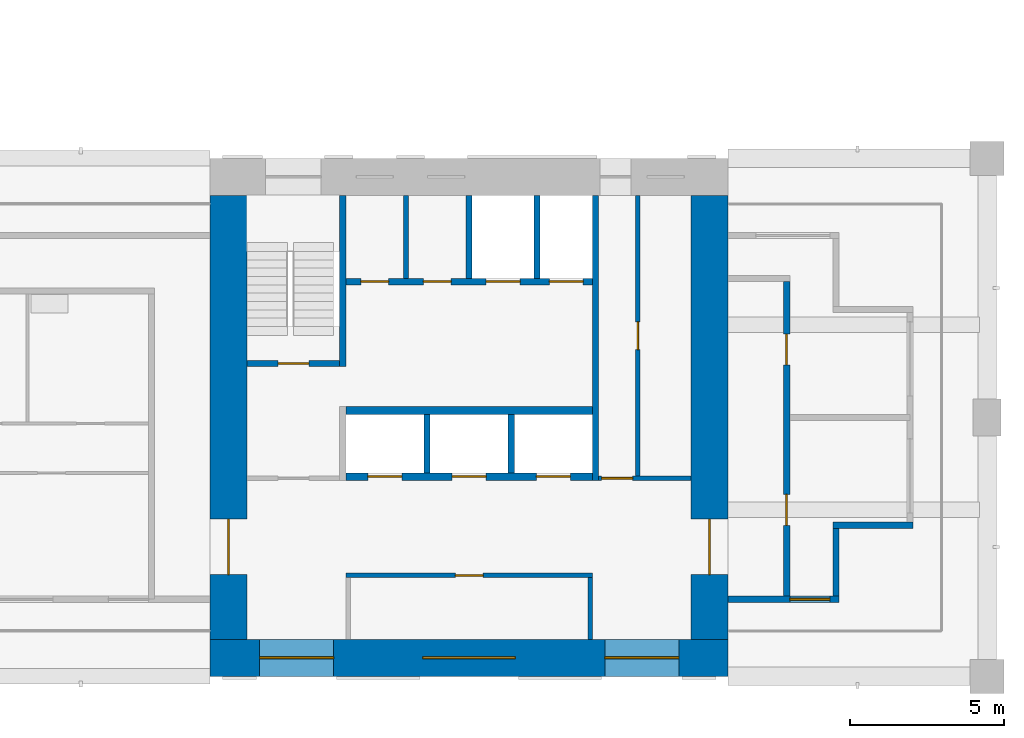
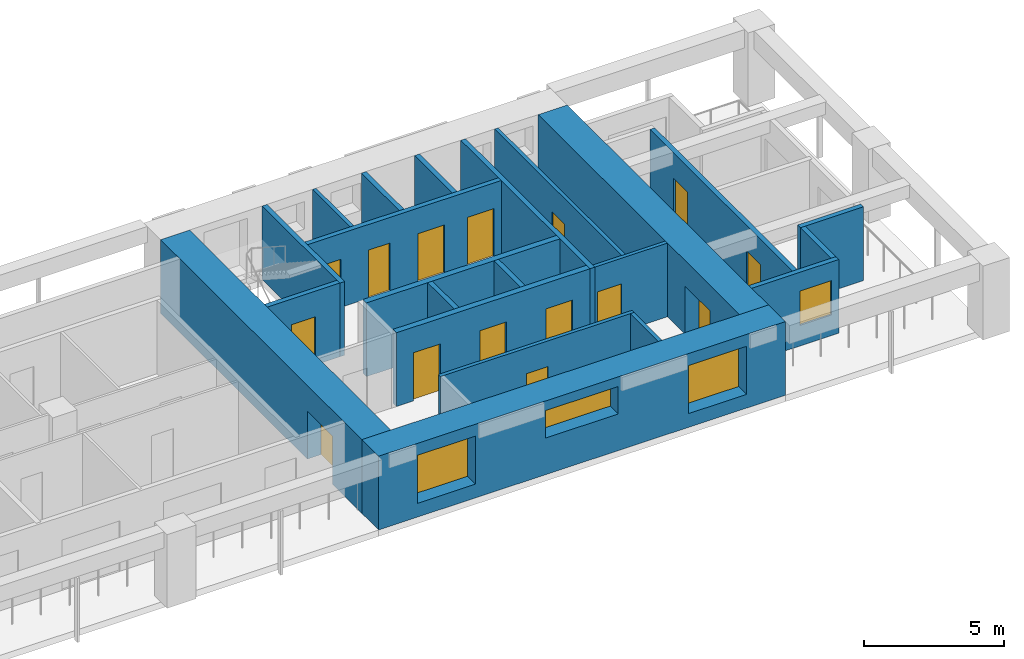
# One storey, part 4 of 10: 22 walls, 15 doors, 4 windows, 19 openings.
"""IFC4 building model written with IfcOpenShell, lengths in metres."""

from ifc_helpers import new_model, si_unit, direction, frame, frame_2d, origin, place, context, subcontext, project, spatial, rectangle, extrude, material, layer, layer_set, type_object, element, fill, save


model = new_model("IFC4")

# Units and contexts
model_context = context("Model", 3, precision=1e-05, world=origin(), true_north=direction((0.0, 1.0)))
body_context = subcontext(model_context, "Body", "Model", "MODEL_VIEW")
ifc_project = project(units=[si_unit("LENGTHUNIT", "METRE"), si_unit("AREAUNIT", "SQUARE_METRE"), si_unit("VOLUMEUNIT", "CUBIC_METRE"), si_unit("PLANEANGLEUNIT", "RADIAN"), si_unit("MASSUNIT", "GRAM", prefix="KILO")], contexts=[model_context])

# Site, building, storey
site_placement = place(None, origin())
site = spatial("IfcSite", under=ifc_project, at=site_placement, CompositionType="ELEMENT")
building_placement = place(site_placement, origin())
building = spatial("IfcBuilding", under=site, at=building_placement, Name="Vermilion Gate Residences", CompositionType="ELEMENT")
storey_placement = place(building_placement, frame((0.0, 0.0, 175.699951171875)))
storey = spatial("IfcBuildingStorey", under=building, at=storey_placement, Name="L45", CompositionType="ELEMENT", Elevation=175.699951171875)

# Wall
ifc_material_1 = material(Name="Masonry blockwork", Category="masonry")
ifc_layer_1 = layer(ifc_material_1, 0.14990234375)
ifc_layer_set_1 = layer_set([ifc_layer_1], Name="BLOCKWORK PARTITION 150 EI 120")
wall_type_1 = type_object("IfcWallType", Name="BLOCKWORK PARTITION 150 EI 120", PredefinedType="PARTITIONING", material=ifc_layer_set_1)
wall_1_placement = place(storey_placement, frame((54.324951171875, 9.60009765625, 0.0), z_axis=(0.0, 0.0, 1.0), x_axis=(0.0, 1.0, 0.0)))
element("IfcWall", 1, at=wall_1_placement, inside=storey, type_object=wall_type_1, Name="Core room partition A45-RW-E", PredefinedType="PARTITIONING", context=body_context, shape_type="SweptSolid", body=[
    extrude(rectangle(XDim=2.0, YDim=0.14990234375, at=frame_2d((1.0, 0.0))), origin(), (0.0, 0.0, 1.0), 3.219970703125),
])

# Wall, opening, door
wall_2_placement = place(storey_placement, frame((46.39990234375, 11.675048828125, 0.0), z_axis=(0.0, 0.0, 1.0), x_axis=(1.0, 0.0, 0.0)))
wall_2 = element("IfcWall", 2, at=wall_2_placement, inside=storey, type_object=wall_type_1, Name="Core room partition A45-LR-F", PredefinedType="PARTITIONING", context=body_context, shape_type="SweptSolid", body=[
    extrude(rectangle(XDim=8.0, YDim=0.14990234375, at=frame_2d((4.0, 0.0))), origin(), (0.0, 0.0, 1.0), 3.219970703125),
])
opening_1_placement = place(wall_2_placement, frame((3.550048828125, 0.0, 0.0)))
opening_1 = element("IfcOpeningElement", 3, at=opening_1_placement, cuts=wall_2, Name="Opening DK45003", PredefinedType="OPENING", context=body_context, shape_type="SweptSolid", body=[
    extrude(rectangle(XDim=0.89990234375, YDim=2.10009765625, at=frame_2d((0.449951171875, 1.050048828125))), frame((0.0, 0.0849609375, 0.0), z_axis=(0.0, -1.0, 0.0), x_axis=(1.0, 0.0, 0.0)), (0.0, 0.0, 1.0), 0.169921875),
])
ifc_material_2 = material(Name="Steel", Category="steel")
door_type_1 = type_object("IfcDoorType", Name="SERVICE ROOM DOOR FD60 900 X 2100", OperationType="SINGLE_SWING_LEFT", PredefinedType="DOOR", material=ifc_material_2)
door_1_placement = place(opening_1_placement, frame((0.89990234375, 0.0, 0.0), z_axis=(0.0, 0.0, 1.0), x_axis=(-1.0, 0.0, 0.0)))
door_1 = element("IfcDoor", 4, at=door_1_placement, inside=storey, type_object=door_type_1, Name="Housekeeping store A45", OperationType="SINGLE_SWING_RIGHT", OverallHeight=2.10009765625, OverallWidth=0.89990234375, PredefinedType="DOOR", context=body_context, shape_type="SweptSolid", body=[
    extrude(rectangle(XDim=0.89990234375, YDim=2.10009765625, at=frame_2d((0.449951171875, 1.050048828125))), frame((0.0, 0.02490234375, 0.0), z_axis=(0.0, -1.0, 0.0), x_axis=(1.0, 0.0, 0.0)), (0.0, 0.0, 1.0), 0.050048828125),
])
fill(opening_1, door_1)

# Wall
wall_3_placement = place(storey_placement, frame((48.35009765625, 21.300048828125, 0.0), z_axis=(0.0, 0.0, 1.0), x_axis=(0.0, 1.0, 0.0)))
element("IfcWall", 5, at=wall_3_placement, inside=storey, type_object=wall_type_1, Name="Core room partition A45-NR-P0", PredefinedType="PARTITIONING", context=body_context, shape_type="SweptSolid", body=[
    extrude(rectangle(XDim=2.699951171875, YDim=0.14990234375, at=frame_2d((1.35009765625, 0.0))), origin(), (0.0, 0.0, 1.0), 3.219970703125),
])

# Wall, opening, door
wall_4_placement = place(storey_placement, frame((54.60009765625, 14.824951171875, 0.0), z_axis=(0.0, 0.0, 1.0), x_axis=(1.0, 0.0, 0.0)))
wall_4 = element("IfcWall", 6, at=wall_4_placement, inside=storey, type_object=wall_type_1, Name="Core room partition A45-ES-S", PredefinedType="PARTITIONING", context=body_context, shape_type="SweptSolid", body=[
    extrude(rectangle(XDim=3.0, YDim=0.14990234375, at=frame_2d((1.5, 0.0))), origin(), (0.0, 0.0, 1.0), 3.219970703125),
])
opening_2_placement = place(wall_4_placement, frame((0.10009765625, 0.0, 0.0)))
opening_2 = element("IfcOpeningElement", 7, at=opening_2_placement, cuts=wall_4, Name="Opening DK45013", PredefinedType="OPENING", context=body_context, shape_type="SweptSolid", body=[
    extrude(rectangle(XDim=1.0, YDim=2.10009765625, at=frame_2d((0.5, 1.050048828125))), frame((0.0, 0.0849609375, 0.0), z_axis=(0.0, -1.0, 0.0), x_axis=(1.0, 0.0, 0.0)), (0.0, 0.0, 1.0), 0.169921875),
])
ifc_material_3 = material(Name="Steel", Category="steel")
door_type_2 = type_object("IfcDoorType", Name="FIRE DOOR FD60 1000 X 2100", OperationType="SINGLE_SWING_LEFT", PredefinedType="DOOR", material=ifc_material_3)
door_2_placement = place(opening_2_placement, frame((1.0, 0.0, 0.0), z_axis=(0.0, 0.0, 1.0), x_axis=(-1.0, 0.0, 0.0)))
door_2 = element("IfcDoor", 8, at=door_2_placement, inside=storey, type_object=door_type_2, Name="Service corridor door A45", OperationType="SINGLE_SWING_LEFT", OverallHeight=2.10009765625, OverallWidth=1.0, PredefinedType="DOOR", context=body_context, shape_type="SweptSolid", body=[
    extrude(rectangle(XDim=1.0, YDim=2.10009765625, at=frame_2d((0.5, 1.050048828125))), frame((0.0, 0.02490234375, 0.0), z_axis=(0.0, -1.0, 0.0), x_axis=(1.0, 0.0, 0.0)), (0.0, 0.0, 1.0), 0.050048828125),
])
fill(opening_2, door_2)

wall_5_placement = place(storey_placement, frame((55.875, 14.89990234375, 0.0), z_axis=(0.0, 0.0, 1.0), x_axis=(0.0, 1.0, 0.0)))
wall_5 = element("IfcWall", 9, at=wall_5_placement, inside=storey, type_object=wall_type_1, Name="Core room partition A45-ES-W", PredefinedType="PARTITIONING", context=body_context, shape_type="SweptSolid", body=[
    extrude(rectangle(XDim=9.10009765625, YDim=0.14990234375, at=frame_2d((4.550048828125, 0.0))), origin(), (0.0, 0.0, 1.0), 3.219970703125),
])
opening_3_placement = place(wall_5_placement, frame((4.10009765625, 0.0, 0.0)))
opening_3 = element("IfcOpeningElement", 10, at=opening_3_placement, cuts=wall_5, Name="Opening DK45014", PredefinedType="OPENING", context=body_context, shape_type="SweptSolid", body=[
    extrude(rectangle(XDim=0.89990234375, YDim=2.10009765625, at=frame_2d((0.449951171875, 1.050048828125))), frame((0.0, 0.0849609375, 0.0), z_axis=(0.0, -1.0, 0.0), x_axis=(1.0, 0.0, 0.0)), (0.0, 0.0, 1.0), 0.169921875),
])
door_3_placement = place(opening_3_placement, frame((0.89990234375, 0.0, 0.0), z_axis=(0.0, 0.0, 1.0), x_axis=(-1.0, 0.0, 0.0)))
door_3 = element("IfcDoor", 11, at=door_3_placement, inside=storey, type_object=door_type_1, Name="Electrical room A45", OperationType="SINGLE_SWING_RIGHT", OverallHeight=2.10009765625, OverallWidth=0.89990234375, PredefinedType="DOOR", context=body_context, shape_type="SweptSolid", body=[
    extrude(rectangle(XDim=0.89990234375, YDim=2.10009765625, at=frame_2d((0.449951171875, 1.050048828125))), frame((0.0, 0.02490234375, 0.0), z_axis=(0.0, -1.0, 0.0), x_axis=(1.0, 0.0, 0.0)), (0.0, 0.0, 1.0), 0.050048828125),
])
fill(opening_3, door_3)

# Wall, opening, window
ifc_material_4 = material(Name="Insulated steel stud wall with terracotta rainscreen", Category="masonry")
ifc_layer_2 = layer(ifc_material_4, 0.199951171875)
ifc_layer_set_2 = layer_set([ifc_layer_2], Name="EXTERNAL WALL 200 TERRACOTTA RAINSCREEN")
wall_type_2 = type_object("IfcWallType", Name="EXTERNAL WALL 200 TERRACOTTA RAINSCREEN", PredefinedType="SOLIDWALL", material=ifc_layer_set_2)
wall_6_placement = place(storey_placement, frame((58.800048828125, 10.89990234375, 0.0), z_axis=(0.0, 0.0, 1.0), x_axis=(1.0, 0.0, 0.0)))
wall_6 = element("IfcWall", 12, at=wall_6_placement, inside=storey, type_object=wall_type_2, Name="External wall", PredefinedType="SOLIDWALL", context=body_context, shape_type="SweptSolid", body=[
    extrude(rectangle(XDim=3.599853515625, YDim=0.199951171875, at=frame_2d((1.7998046875, 0.0))), origin(), (0.0, 0.0, 1.0), 3.219970703125),
])
opening_4_placement = place(wall_6_placement, frame((2.0, 0.0, 0.89990234375)))
opening_4 = element("IfcOpeningElement", 13, at=opening_4_placement, cuts=wall_6, Name="Opening WE45015", PredefinedType="OPENING", context=body_context, shape_type="SweptSolid", body=[
    extrude(rectangle(XDim=1.300048828125, YDim=1.5, at=frame_2d((0.64990234375, 0.75))), frame((0.0, 0.10986328125, 0.0), z_axis=(0.0, -1.0, 0.0), x_axis=(1.0, 0.0, 0.0)), (0.0, 0.0, 1.0), 0.219970703125),
])
ifc_material_5 = material(Name="Aluminium and clear glass", Category="aluminium")
window_type_1 = type_object("IfcWindowType", Name="WINDOW 1300 X 1500", PartitioningType="SINGLE_PANEL", PredefinedType="WINDOW", material=ifc_material_5)
window_1_placement = place(opening_4_placement, origin())
window_1 = element("IfcWindow", 14, at=window_1_placement, inside=storey, type_object=window_type_1, Name="Window", OverallHeight=1.5, OverallWidth=1.300048828125, PartitioningType="SINGLE_PANEL", PredefinedType="WINDOW", context=body_context, shape_type="SweptSolid", body=[
    extrude(rectangle(XDim=1.300048828125, YDim=1.5, at=frame_2d((0.64990234375, 0.75))), frame((0.0, 0.030029296875, 0.0), z_axis=(0.0, -1.0, 0.0), x_axis=(1.0, 0.0, 0.0)), (0.0, 0.0, 1.0), 0.06005859375),
])
fill(opening_4, window_1)

# Walls
wall_7_placement = place(storey_placement, frame((62.300048828125, 11.0, 0.0), z_axis=(0.0, 0.0, 1.0), x_axis=(0.0, 1.0, 0.0)))
element("IfcWall", 15, at=wall_7_placement, inside=storey, type_object=wall_type_2, Name="External wall", PredefinedType="SOLIDWALL", context=body_context, shape_type="SweptSolid", body=[
    extrude(rectangle(XDim=2.199951171875, YDim=0.199951171875, at=frame_2d((1.10009765625, 0.0))), origin(), (0.0, 0.0, 1.0), 3.219970703125),
])
wall_8_placement = place(storey_placement, frame((62.199951171875, 13.300048828125, 0.0), z_axis=(0.0, 0.0, 1.0), x_axis=(1.0, 0.0, 0.0)))
element("IfcWall", 16, at=wall_8_placement, inside=storey, type_object=wall_type_2, Name="External wall", PredefinedType="SOLIDWALL", context=body_context, shape_type="SweptSolid", body=[
    extrude(rectangle(XDim=2.60009765625, YDim=0.199951171875, at=frame_2d((1.300048828125, 0.0))), origin(), (0.0, 0.0, 1.0), 3.219970703125),
])

# Wall, openings, doors
ifc_material_6 = material(Name="Fire-rated plasterboard on steel studs", Category="steel")
ifc_layer_3 = layer(ifc_material_6, 0.199951171875)
ifc_layer_set_3 = layer_set([ifc_layer_3], Name="PARTY WALL 200 EI 120")
wall_type_3 = type_object("IfcWallType", Name="PARTY WALL 200 EI 120", PredefinedType="PARTITIONING", material=ifc_layer_set_3)
wall_9_placement = place(storey_placement, frame((60.699951171875, 10.89990234375, 0.0), z_axis=(0.0, 0.0, 1.0), x_axis=(0.0, 1.0, 0.0)))
wall_9 = element("IfcWall", 17, at=wall_9_placement, inside=storey, type_object=wall_type_3, Name="Party and corridor wall", PredefinedType="PARTITIONING", context=body_context, shape_type="SweptSolid", body=[
    extrude(rectangle(XDim=10.300048828125, YDim=0.199951171875, at=frame_2d((5.14990234375, 0.0))), origin(), (0.0, 0.0, 1.0), 3.219970703125),
])
opening_5_placement = place(wall_9_placement, frame((2.39990234375, 0.0, 0.0)))
opening_5 = element("IfcOpeningElement", 18, at=opening_5_placement, cuts=wall_9, Name="Opening DA43026", PredefinedType="OPENING", context=body_context, shape_type="SweptSolid", body=[
    extrude(rectangle(XDim=1.0, YDim=2.10009765625, at=frame_2d((0.5, 1.050048828125))), frame((0.0, 0.10986328125, 0.0), z_axis=(0.0, -1.0, 0.0), x_axis=(1.0, 0.0, 0.0)), (0.0, 0.0, 1.0), 0.219970703125),
])
opening_6_placement = place(wall_9_placement, frame((7.60009765625, 0.0, 0.0)))
opening_6 = element("IfcOpeningElement", 19, at=opening_6_placement, cuts=wall_9, Name="Opening DA43027", PredefinedType="OPENING", context=body_context, shape_type="SweptSolid", body=[
    extrude(rectangle(XDim=1.0, YDim=2.10009765625, at=frame_2d((0.5, 1.050048828125))), frame((0.0, 0.10986328125, 0.0), z_axis=(0.0, -1.0, 0.0), x_axis=(1.0, 0.0, 0.0)), (0.0, 0.0, 1.0), 0.219970703125),
])
ifc_material_7 = material(Name="Steel", Category="steel")
door_type_3 = type_object("IfcDoorType", Name="ENTRANCE DOOR 1000 X 2100 FD30", OperationType="SINGLE_SWING_LEFT", PredefinedType="DOOR", material=ifc_material_7)
door_4_placement = place(opening_5_placement, frame((1.0, 0.0, 0.0), z_axis=(0.0, 0.0, 1.0), x_axis=(-1.0, 0.0, 0.0)))
door_4 = element("IfcDoor", 20, at=door_4_placement, inside=storey, type_object=door_type_3, Name="Entrance door", OperationType="SINGLE_SWING_RIGHT", OverallHeight=2.10009765625, OverallWidth=1.0, PredefinedType="DOOR", context=body_context, shape_type="SweptSolid", body=[
    extrude(rectangle(XDim=1.0, YDim=2.10009765625, at=frame_2d((0.5, 1.050048828125))), frame((0.0, 0.02490234375, 0.0), z_axis=(0.0, -1.0, 0.0), x_axis=(1.0, 0.0, 0.0)), (0.0, 0.0, 1.0), 0.050048828125),
])
fill(opening_5, door_4)
door_5_placement = place(opening_6_placement, frame((1.0, 0.0, 0.0), z_axis=(0.0, 0.0, 1.0), x_axis=(-1.0, 0.0, 0.0)))
door_5 = element("IfcDoor", 21, at=door_5_placement, inside=storey, type_object=door_type_3, Name="Entrance door", OperationType="SINGLE_SWING_RIGHT", OverallHeight=2.10009765625, OverallWidth=1.0, PredefinedType="DOOR", context=body_context, shape_type="SweptSolid", body=[
    extrude(rectangle(XDim=1.0, YDim=2.10009765625, at=frame_2d((0.5, 1.050048828125))), frame((0.0, 0.02490234375, 0.0), z_axis=(0.0, -1.0, 0.0), x_axis=(1.0, 0.0, 0.0)), (0.0, 0.0, 1.0), 0.050048828125),
])
fill(opening_6, door_5)

# Walls
ifc_material_8 = material(Name="Concrete C60", Category="concrete")
ifc_layer_4 = layer(ifc_material_8, 0.199951171875)
ifc_layer_set_4 = layer_set([ifc_layer_4], Name="RC CORE INTERNAL WALL 200 C60")
wall_type_4 = type_object("IfcWallType", Name="RC CORE INTERNAL WALL 200 C60", PredefinedType="SHEAR", material=ifc_layer_set_4)
for number, where, z_axis, x_axis, name in (
    (22, (49.033447265625, 15.0, 0.0), (0.0, 0.0, 1.0), (0.0, 1.0, 0.0), "Core internal wall A45-HR-D1"),
    (23, (51.7666015625, 15.0, 0.0), (0.0, 0.0, 1.0), (0.0, 1.0, 0.0), "Core internal wall A45-HR-D2"),
):
    element("IfcWall", number, at=place(storey_placement, frame(where, z_axis=z_axis, x_axis=x_axis)), inside=storey, type_object=wall_type_4, Name=name, PredefinedType="SHEAR", context=body_context, shape_type="SweptSolid", body=[
        extrude(rectangle(XDim=1.89990234375, YDim=0.199951171875, at=frame_2d((0.949951171875, 0.0))), origin(), (0.0, 0.0, 1.0), 3.219970703125),
    ])
for number, where, z_axis, x_axis, name in (
    (24, (50.39990234375, 21.300048828125, 0.0), (0.0, 0.0, 1.0), (0.0, 1.0, 0.0), "Core internal wall A45-FF-D0"),
    (25, (52.60009765625, 21.300048828125, 0.0), (0.0, 0.0, 1.0), (0.0, 1.0, 0.0), "Core internal wall A45-FF-D1"),
):
    element("IfcWall", number, at=place(storey_placement, frame(where, z_axis=z_axis, x_axis=x_axis)), inside=storey, type_object=wall_type_4, Name=name, PredefinedType="SHEAR", context=body_context, shape_type="SweptSolid", body=[
        extrude(rectangle(XDim=2.699951171875, YDim=0.199951171875, at=frame_2d((1.35009765625, 0.0))), origin(), (0.0, 0.0, 1.0), 3.219970703125),
    ])

# Wall, openings, doors
wall_10_placement = place(storey_placement, frame((46.39990234375, 21.199951171875, 0.0), z_axis=(0.0, 0.0, 1.0), x_axis=(1.0, 0.0, 0.0)))
wall_10 = element("IfcWall", 26, at=wall_10_placement, inside=storey, type_object=wall_type_4, Name="Core internal wall A45-FF-F", PredefinedType="SHEAR", context=body_context, shape_type="SweptSolid", body=[
    extrude(rectangle(XDim=8.0, YDim=0.199951171875, at=frame_2d((4.0, 0.0))), origin(), (0.0, 0.0, 1.0), 3.219970703125),
])
opening_7_placement = place(wall_10_placement, frame((0.487548828125, 0.0, 0.0)))
opening_7 = element("IfcOpeningElement", 27, at=opening_7_placement, cuts=wall_10, Name="Opening DK45007", PredefinedType="OPENING", context=body_context, shape_type="SweptSolid", body=[
    extrude(rectangle(XDim=0.89990234375, YDim=2.10009765625, at=frame_2d((0.449951171875, 1.050048828125))), frame((0.0, 0.10986328125, 0.0), z_axis=(0.0, -1.0, 0.0), x_axis=(1.0, 0.0, 0.0)), (0.0, 0.0, 1.0), 0.219970703125),
])
opening_8_placement = place(wall_10_placement, frame((2.512451171875, 0.0, 0.0)))
opening_8 = element("IfcOpeningElement", 28, at=opening_8_placement, cuts=wall_10, Name="Opening DK45008", PredefinedType="OPENING", context=body_context, shape_type="SweptSolid", body=[
    extrude(rectangle(XDim=0.89990234375, YDim=2.10009765625, at=frame_2d((0.449951171875, 1.050048828125))), frame((0.0, 0.10986328125, 0.0), z_axis=(0.0, -1.0, 0.0), x_axis=(1.0, 0.0, 0.0)), (0.0, 0.0, 1.0), 0.219970703125),
])
opening_9_placement = place(wall_10_placement, frame((4.550048828125, 0.0, 0.0)))
opening_9 = element("IfcOpeningElement", 29, at=opening_9_placement, cuts=wall_10, Name="Opening LD", PredefinedType="OPENING", context=body_context, shape_type="SweptSolid", body=[
    extrude(rectangle(XDim=1.10009765625, YDim=2.10009765625, at=frame_2d((0.550048828125, 1.050048828125))), frame((0.0, 0.10986328125, 0.0), z_axis=(0.0, -1.0, 0.0), x_axis=(1.0, 0.0, 0.0)), (0.0, 0.0, 1.0), 0.219970703125),
])
opening_10_placement = place(wall_10_placement, frame((6.60009765625, 0.0, 0.0)))
opening_10 = element("IfcOpeningElement", 30, at=opening_10_placement, cuts=wall_10, Name="Opening LD", PredefinedType="OPENING", context=body_context, shape_type="SweptSolid", body=[
    extrude(rectangle(XDim=1.10009765625, YDim=2.10009765625, at=frame_2d((0.550048828125, 1.050048828125))), frame((0.0, 0.10986328125, 0.0), z_axis=(0.0, -1.0, 0.0), x_axis=(1.0, 0.0, 0.0)), (0.0, 0.0, 1.0), 0.219970703125),
])
ifc_material_9 = material(Name="Stainless steel", Category="steel")
door_type_4 = type_object("IfcDoorType", Name="LIFT LANDING DOOR E60 1100 X 2100", OperationType="DOUBLE_DOOR_SLIDING", PredefinedType="DOOR", material=ifc_material_9)
door_6_placement = place(opening_9_placement, origin())
door_6 = element("IfcDoor", 31, at=door_6_placement, inside=storey, type_object=door_type_4, Name="Lift landing door LFA1", OperationType="DOUBLE_DOOR_SLIDING", OverallHeight=2.10009765625, OverallWidth=1.10009765625, PredefinedType="DOOR", context=body_context, shape_type="SweptSolid", body=[
    extrude(rectangle(XDim=1.10009765625, YDim=2.10009765625, at=frame_2d((0.550048828125, 1.050048828125))), frame((0.0, 0.02490234375, 0.0), z_axis=(0.0, -1.0, 0.0), x_axis=(1.0, 0.0, 0.0)), (0.0, 0.0, 1.0), 0.050048828125),
])
fill(opening_9, door_6)
door_7_placement = place(opening_10_placement, origin())
door_7 = element("IfcDoor", 32, at=door_7_placement, inside=storey, type_object=door_type_4, Name="Lift landing door LCA1", OperationType="DOUBLE_DOOR_SLIDING", OverallHeight=2.10009765625, OverallWidth=1.10009765625, PredefinedType="DOOR", context=body_context, shape_type="SweptSolid", body=[
    extrude(rectangle(XDim=1.10009765625, YDim=2.10009765625, at=frame_2d((0.550048828125, 1.050048828125))), frame((0.0, 0.02490234375, 0.0), z_axis=(0.0, -1.0, 0.0), x_axis=(1.0, 0.0, 0.0)), (0.0, 0.0, 1.0), 0.050048828125),
])
fill(opening_10, door_7)
door_8_placement = place(opening_7_placement, origin())
door_8 = element("IfcDoor", 33, at=door_8_placement, inside=storey, type_object=door_type_1, Name="Parcel room A45", OperationType="SINGLE_SWING_LEFT", OverallHeight=2.10009765625, OverallWidth=0.89990234375, PredefinedType="DOOR", context=body_context, shape_type="SweptSolid", body=[
    extrude(rectangle(XDim=0.89990234375, YDim=2.10009765625, at=frame_2d((0.449951171875, 1.050048828125))), frame((0.0, 0.02490234375, 0.0), z_axis=(0.0, -1.0, 0.0), x_axis=(1.0, 0.0, 0.0)), (0.0, 0.0, 1.0), 0.050048828125),
])
fill(opening_7, door_8)
door_9_placement = place(opening_8_placement, frame((0.89990234375, 0.0, 0.0), z_axis=(0.0, 0.0, 1.0), x_axis=(-1.0, 0.0, 0.0)))
door_9 = element("IfcDoor", 34, at=door_9_placement, inside=storey, type_object=door_type_1, Name="Electrical room A45", OperationType="SINGLE_SWING_RIGHT", OverallHeight=2.10009765625, OverallWidth=0.89990234375, PredefinedType="DOOR", context=body_context, shape_type="SweptSolid", body=[
    extrude(rectangle(XDim=0.89990234375, YDim=2.10009765625, at=frame_2d((0.449951171875, 1.050048828125))), frame((0.0, 0.02490234375, 0.0), z_axis=(0.0, -1.0, 0.0), x_axis=(1.0, 0.0, 0.0)), (0.0, 0.0, 1.0), 0.050048828125),
])
fill(opening_8, door_9)

# Wall
wall_11_placement = place(storey_placement, frame((46.300048828125, 18.449951171875, 0.0), z_axis=(0.0, 0.0, 1.0), x_axis=(0.0, 1.0, 0.0)))
element("IfcWall", 35, at=wall_11_placement, inside=storey, type_object=wall_type_4, Name="Core internal wall A45-WDIV2", PredefinedType="SHEAR", context=body_context, shape_type="SweptSolid", body=[
    extrude(rectangle(XDim=5.550048828125, YDim=0.199951171875, at=frame_2d((2.77490234375, 0.0))), origin(), (0.0, 0.0, 1.0), 3.219970703125),
])

# Wall, opening, door
wall_12_placement = place(storey_placement, frame((43.199951171875, 18.550048828125, 0.0), z_axis=(0.0, 0.0, 1.0), x_axis=(1.0, 0.0, 0.0)))
wall_12 = element("IfcWall", 36, at=wall_12_placement, inside=storey, type_object=wall_type_4, Name="Core internal wall A45-STW-S", PredefinedType="SHEAR", context=body_context, shape_type="SweptSolid", body=[
    extrude(rectangle(XDim=3.0, YDim=0.199951171875, at=frame_2d((1.5, 0.0))), origin(), (0.0, 0.0, 1.0), 3.219970703125),
])
opening_11_placement = place(wall_12_placement, frame((1.0, 0.0, 0.0)))
opening_11 = element("IfcOpeningElement", 37, at=opening_11_placement, cuts=wall_12, Name="Opening DK45012", PredefinedType="OPENING", context=body_context, shape_type="SweptSolid", body=[
    extrude(rectangle(XDim=1.0, YDim=2.10009765625, at=frame_2d((0.5, 1.050048828125))), frame((0.0, 0.10986328125, 0.0), z_axis=(0.0, -1.0, 0.0), x_axis=(1.0, 0.0, 0.0)), (0.0, 0.0, 1.0), 0.219970703125),
])
door_10_placement = place(opening_11_placement, origin())
door_10 = element("IfcDoor", 38, at=door_10_placement, inside=storey, type_object=door_type_2, Name="Stair door A45", OperationType="SINGLE_SWING_LEFT", OverallHeight=2.10009765625, OverallWidth=1.0, PredefinedType="DOOR", context=body_context, shape_type="SweptSolid", body=[
    extrude(rectangle(XDim=1.0, YDim=2.10009765625, at=frame_2d((0.5, 1.050048828125))), frame((0.0, 0.02490234375, 0.0), z_axis=(0.0, -1.0, 0.0), x_axis=(1.0, 0.0, 0.0)), (0.0, 0.0, 1.0), 0.050048828125),
])
fill(opening_11, door_10)

# Wall
wall_13_placement = place(storey_placement, frame((54.5, 14.75, 0.0), z_axis=(0.0, 0.0, 1.0), x_axis=(0.0, 1.0, 0.0)))
element("IfcWall", 39, at=wall_13_placement, inside=storey, type_object=wall_type_4, Name="Core internal wall A45-EDIV", PredefinedType="SHEAR", context=body_context, shape_type="SweptSolid", body=[
    extrude(rectangle(XDim=9.25, YDim=0.199951171875, at=frame_2d((4.625, 0.0))), origin(), (0.0, 0.0, 1.0), 3.219970703125),
])

# Wall, opening, door
ifc_material_10 = material(Name="Concrete C60", Category="concrete")
ifc_layer_5 = layer(ifc_material_10, 1.199951171875)
ifc_layer_set_5 = layer_set([ifc_layer_5], Name="RC CORE WALL 1200 C60")
wall_type_5 = type_object("IfcWallType", Name="RC CORE WALL 1200 C60", PredefinedType="SHEAR", material=ifc_layer_set_5)
wall_14_placement = place(storey_placement, frame((42.60009765625, 9.60009765625, 0.0), z_axis=(0.0, 0.0, 1.0), x_axis=(0.0, 1.0, 0.0)))
wall_14 = element("IfcWall", 40, at=wall_14_placement, inside=storey, type_object=wall_type_5, Name="Core wall A45-OUT-FR", PredefinedType="SHEAR", context=body_context, shape_type="SweptSolid", body=[
    extrude(rectangle(XDim=14.39990234375, YDim=1.199951171875, at=frame_2d((7.199951171875, 0.0))), origin(), (0.0, 0.0, 1.0), 3.219970703125),
])
opening_12_placement = place(wall_14_placement, frame((2.10009765625, 0.0, 0.0)))
opening_12 = element("IfcOpeningElement", 41, at=opening_12_placement, cuts=wall_14, Name="Opening DK45001", PredefinedType="OPENING", context=body_context, shape_type="SweptSolid", body=[
    extrude(rectangle(XDim=1.800048828125, YDim=2.10009765625, at=frame_2d((0.89990234375, 1.050048828125))), frame((0.0, 0.60986328125, 0.0), z_axis=(0.0, -1.0, 0.0), x_axis=(1.0, 0.0, 0.0)), (0.0, 0.0, 1.0), 1.219970703125),
])
ifc_material_11 = material(Name="Steel", Category="steel")
door_type_5 = type_object("IfcDoorType", Name="CORE LOBBY DOOR FD60 1800 X 2100", OperationType="DOUBLE_DOOR_SINGLE_SWING", PredefinedType="DOOR", material=ifc_material_11)
door_11_placement = place(opening_12_placement, frame((1.800048828125, 0.0, 0.0), z_axis=(0.0, 0.0, 1.0), x_axis=(-1.0, 0.0, 0.0)))
door_11 = element("IfcDoor", 42, at=door_11_placement, inside=storey, type_object=door_type_5, Name="Core lobby door A45", OperationType="DOUBLE_DOOR_SINGLE_SWING", OverallHeight=2.10009765625, OverallWidth=1.800048828125, PredefinedType="DOOR", context=body_context, shape_type="SweptSolid", body=[
    extrude(rectangle(XDim=1.800048828125, YDim=2.10009765625, at=frame_2d((0.89990234375, 1.050048828125))), frame((0.0, 0.02490234375, 0.0), z_axis=(0.0, -1.0, 0.0), x_axis=(1.0, 0.0, 0.0)), (0.0, 0.0, 1.0), 0.050048828125),
])
fill(opening_12, door_11)

wall_15_placement = place(storey_placement, frame((58.199951171875, 9.60009765625, 0.0), z_axis=(0.0, 0.0, 1.0), x_axis=(0.0, 1.0, 0.0)))
wall_15 = element("IfcWall", 43, at=wall_15_placement, inside=storey, type_object=wall_type_5, Name="Core wall A45-OUT-BK", PredefinedType="SHEAR", context=body_context, shape_type="SweptSolid", body=[
    extrude(rectangle(XDim=14.39990234375, YDim=1.199951171875, at=frame_2d((7.199951171875, 0.0))), origin(), (0.0, 0.0, 1.0), 3.219970703125),
])
opening_13_placement = place(wall_15_placement, frame((2.10009765625, 0.0, 0.0)))
opening_13 = element("IfcOpeningElement", 44, at=opening_13_placement, cuts=wall_15, Name="Opening DK45002", PredefinedType="OPENING", context=body_context, shape_type="SweptSolid", body=[
    extrude(rectangle(XDim=1.800048828125, YDim=2.10009765625, at=frame_2d((0.89990234375, 1.050048828125))), frame((0.0, 0.60986328125, 0.0), z_axis=(0.0, -1.0, 0.0), x_axis=(1.0, 0.0, 0.0)), (0.0, 0.0, 1.0), 1.219970703125),
])
door_12_placement = place(opening_13_placement, origin())
door_12 = element("IfcDoor", 45, at=door_12_placement, inside=storey, type_object=door_type_5, Name="Core lobby door A45", OperationType="DOUBLE_DOOR_SINGLE_SWING", OverallHeight=2.10009765625, OverallWidth=1.800048828125, PredefinedType="DOOR", context=body_context, shape_type="SweptSolid", body=[
    extrude(rectangle(XDim=1.800048828125, YDim=2.10009765625, at=frame_2d((0.89990234375, 1.050048828125))), frame((0.0, 0.02490234375, 0.0), z_axis=(0.0, -1.0, 0.0), x_axis=(1.0, 0.0, 0.0)), (0.0, 0.0, 1.0), 0.050048828125),
])
fill(opening_13, door_12)

# Wall, openings, windows
ifc_material_12 = material(Name="Concrete C60 red-oxide pigmented", Category="concrete")
ifc_layer_6 = layer(ifc_material_12, 1.199951171875)
ifc_layer_set_6 = layer_set([ifc_layer_6], Name="RC CORE WALL 1200 C60 RED OXIDE")
wall_type_6 = type_object("IfcWallType", Name="RC CORE WALL 1200 C60 RED OXIDE", PredefinedType="SHEAR", material=ifc_layer_set_6)
wall_16_placement = place(storey_placement, frame((42.0, 9.0, 0.0), z_axis=(0.0, 0.0, 1.0), x_axis=(1.0, 0.0, 0.0)))
wall_16 = element("IfcWall", 46, at=wall_16_placement, inside=storey, type_object=wall_type_6, Name="Core wall A45-OUT-B0", PredefinedType="SHEAR", context=body_context, shape_type="SweptSolid", body=[
    extrude(rectangle(XDim=16.800048828125, YDim=1.199951171875, at=frame_2d((8.39990234375, 0.0))), origin(), (0.0, 0.0, 1.0), 3.219970703125),
])
opening_14_placement = place(wall_16_placement, frame((1.60009765625, 0.0, 0.60009765625)))
opening_14 = element("IfcOpeningElement", 47, at=opening_14_placement, cuts=wall_16, Name="Opening WKA4501", PredefinedType="OPENING", context=body_context, shape_type="SweptSolid", body=[
    extrude(rectangle(XDim=2.39990234375, YDim=2.10009765625, at=frame_2d((1.199951171875, 1.050048828125))), frame((0.0, 0.60986328125, 0.0), z_axis=(0.0, -1.0, 0.0), x_axis=(1.0, 0.0, 0.0)), (0.0, 0.0, 1.0), 1.219970703125),
])
opening_15_placement = place(wall_16_placement, frame((6.89990234375, 0.0, 1.60009765625)))
opening_15 = element("IfcOpeningElement", 48, at=opening_15_placement, cuts=wall_16, Name="Opening WKA4502", PredefinedType="OPENING", context=body_context, shape_type="SweptSolid", body=[
    extrude(rectangle(XDim=3.0, YDim=1.199951171875, at=frame_2d((1.5, 0.60009765625))), frame((0.0, 0.60986328125, 0.0), z_axis=(0.0, -1.0, 0.0), x_axis=(1.0, 0.0, 0.0)), (0.0, 0.0, 1.0), 1.219970703125),
])
opening_16_placement = place(wall_16_placement, frame((12.800048828125, 0.0, 0.60009765625)))
opening_16 = element("IfcOpeningElement", 49, at=opening_16_placement, cuts=wall_16, Name="Opening WKA4503", PredefinedType="OPENING", context=body_context, shape_type="SweptSolid", body=[
    extrude(rectangle(XDim=2.39990234375, YDim=2.10009765625, at=frame_2d((1.199951171875, 1.050048828125))), frame((0.0, 0.60986328125, 0.0), z_axis=(0.0, -1.0, 0.0), x_axis=(1.0, 0.0, 0.0)), (0.0, 0.0, 1.0), 1.219970703125),
])
ifc_material_13 = material(Name="Aluminium and clear glass", Category="aluminium")
window_type_2 = type_object("IfcWindowType", Name="CORE LOBBY WINDOW 2400 X 2100", PartitioningType="SINGLE_PANEL", PredefinedType="WINDOW", material=ifc_material_13)
window_2_placement = place(opening_14_placement, origin())
window_2 = element("IfcWindow", 50, at=window_2_placement, inside=storey, type_object=window_type_2, Name="Core lobby window", OverallHeight=2.10009765625, OverallWidth=2.39990234375, PartitioningType="SINGLE_PANEL", PredefinedType="WINDOW", context=body_context, shape_type="SweptSolid", body=[
    extrude(rectangle(XDim=2.39990234375, YDim=2.10009765625, at=frame_2d((1.199951171875, 1.050048828125))), frame((0.0, 0.030029296875, 0.0), z_axis=(0.0, -1.0, 0.0), x_axis=(1.0, 0.0, 0.0)), (0.0, 0.0, 1.0), 0.06005859375),
])
fill(opening_14, window_2)
window_3_placement = place(opening_16_placement, origin())
window_3 = element("IfcWindow", 51, at=window_3_placement, inside=storey, type_object=window_type_2, Name="Core lobby window", OverallHeight=2.10009765625, OverallWidth=2.39990234375, PartitioningType="SINGLE_PANEL", PredefinedType="WINDOW", context=body_context, shape_type="SweptSolid", body=[
    extrude(rectangle(XDim=2.39990234375, YDim=2.10009765625, at=frame_2d((1.199951171875, 1.050048828125))), frame((0.0, 0.030029296875, 0.0), z_axis=(0.0, -1.0, 0.0), x_axis=(1.0, 0.0, 0.0)), (0.0, 0.0, 1.0), 0.06005859375),
])
fill(opening_16, window_3)
ifc_material_14 = material(Name="Aluminium frame with louvre blades", Category="aluminium")
window_type_3 = type_object("IfcWindowType", Name="CORE LOUVRE 3000 X 1200", PartitioningType="SINGLE_PANEL", PredefinedType="WINDOW", material=ifc_material_14)
window_4_placement = place(opening_15_placement, origin())
window_4 = element("IfcWindow", 52, at=window_4_placement, inside=storey, type_object=window_type_3, Name="Core louvre", OverallHeight=1.199951171875, OverallWidth=3.0, PartitioningType="SINGLE_PANEL", PredefinedType="WINDOW", context=body_context, shape_type="SweptSolid", body=[
    extrude(rectangle(XDim=3.0, YDim=1.199951171875, at=frame_2d((1.5, 0.60009765625))), frame((0.0, 0.030029296875, 0.0), z_axis=(0.0, -1.0, 0.0), x_axis=(1.0, 0.0, 0.0)), (0.0, 0.0, 1.0), 0.06005859375),
])
fill(opening_15, window_4)

# Wall, openings, doors
ifc_material_15 = material(Name="Concrete C60", Category="concrete")
ifc_layer_7 = layer(ifc_material_15, 0.25)
ifc_layer_set_7 = layer_set([ifc_layer_7], Name="RC LIFT SHAFT WALL 250 C60")
wall_type_7 = type_object("IfcWallType", Name="RC LIFT SHAFT WALL 250 C60", PredefinedType="SHEAR", material=ifc_layer_set_7)
wall_17_placement = place(storey_placement, frame((46.39990234375, 14.875, 0.0), z_axis=(0.0, 0.0, 1.0), x_axis=(1.0, 0.0, 0.0)))
wall_17 = element("IfcWall", 53, at=wall_17_placement, inside=storey, type_object=wall_type_7, Name="Lift shaft wall A45-HR-F", PredefinedType="SHEAR", context=body_context, shape_type="SweptSolid", body=[
    extrude(rectangle(XDim=8.0, YDim=0.25, at=frame_2d((4.0, 0.0))), origin(), (0.0, 0.0, 1.0), 3.219970703125),
])
opening_17_placement = place(wall_17_placement, frame((0.716552734375, 0.0, 0.0)))
opening_17 = element("IfcOpeningElement", 54, at=opening_17_placement, cuts=wall_17, Name="Opening LD", PredefinedType="OPENING", context=body_context, shape_type="SweptSolid", body=[
    extrude(rectangle(XDim=1.10009765625, YDim=2.10009765625, at=frame_2d((0.550048828125, 1.050048828125))), frame((0.0, 0.135009765625, 0.0), z_axis=(0.0, -1.0, 0.0), x_axis=(1.0, 0.0, 0.0)), (0.0, 0.0, 1.0), 0.27001953125),
])
opening_18_placement = place(wall_17_placement, frame((3.449951171875, 0.0, 0.0)))
opening_18 = element("IfcOpeningElement", 55, at=opening_18_placement, cuts=wall_17, Name="Opening LD", PredefinedType="OPENING", context=body_context, shape_type="SweptSolid", body=[
    extrude(rectangle(XDim=1.10009765625, YDim=2.10009765625, at=frame_2d((0.550048828125, 1.050048828125))), frame((0.0, 0.135009765625, 0.0), z_axis=(0.0, -1.0, 0.0), x_axis=(1.0, 0.0, 0.0)), (0.0, 0.0, 1.0), 0.27001953125),
])
opening_19_placement = place(wall_17_placement, frame((6.183349609375, 0.0, 0.0)))
opening_19 = element("IfcOpeningElement", 56, at=opening_19_placement, cuts=wall_17, Name="Opening LD", PredefinedType="OPENING", context=body_context, shape_type="SweptSolid", body=[
    extrude(rectangle(XDim=1.10009765625, YDim=2.10009765625, at=frame_2d((0.550048828125, 1.050048828125))), frame((0.0, 0.135009765625, 0.0), z_axis=(0.0, -1.0, 0.0), x_axis=(1.0, 0.0, 0.0)), (0.0, 0.0, 1.0), 0.27001953125),
])
door_13_placement = place(opening_17_placement, origin())
door_13 = element("IfcDoor", 57, at=door_13_placement, inside=storey, type_object=door_type_4, Name="Lift landing door HRA1", OperationType="DOUBLE_DOOR_SLIDING", OverallHeight=2.10009765625, OverallWidth=1.10009765625, PredefinedType="DOOR", context=body_context, shape_type="SweptSolid", body=[
    extrude(rectangle(XDim=1.10009765625, YDim=2.10009765625, at=frame_2d((0.550048828125, 1.050048828125))), frame((0.0, 0.02490234375, 0.0), z_axis=(0.0, -1.0, 0.0), x_axis=(1.0, 0.0, 0.0)), (0.0, 0.0, 1.0), 0.050048828125),
])
fill(opening_17, door_13)
door_14_placement = place(opening_18_placement, origin())
door_14 = element("IfcDoor", 58, at=door_14_placement, inside=storey, type_object=door_type_4, Name="Lift landing door HRA2", OperationType="DOUBLE_DOOR_SLIDING", OverallHeight=2.10009765625, OverallWidth=1.10009765625, PredefinedType="DOOR", context=body_context, shape_type="SweptSolid", body=[
    extrude(rectangle(XDim=1.10009765625, YDim=2.10009765625, at=frame_2d((0.550048828125, 1.050048828125))), frame((0.0, 0.02490234375, 0.0), z_axis=(0.0, -1.0, 0.0), x_axis=(1.0, 0.0, 0.0)), (0.0, 0.0, 1.0), 0.050048828125),
])
fill(opening_18, door_14)
door_15_placement = place(opening_19_placement, origin())
door_15 = element("IfcDoor", 59, at=door_15_placement, inside=storey, type_object=door_type_4, Name="Lift landing door HRA3", OperationType="DOUBLE_DOOR_SLIDING", OverallHeight=2.10009765625, OverallWidth=1.10009765625, PredefinedType="DOOR", context=body_context, shape_type="SweptSolid", body=[
    extrude(rectangle(XDim=1.10009765625, YDim=2.10009765625, at=frame_2d((0.550048828125, 1.050048828125))), frame((0.0, 0.02490234375, 0.0), z_axis=(0.0, -1.0, 0.0), x_axis=(1.0, 0.0, 0.0)), (0.0, 0.0, 1.0), 0.050048828125),
])
fill(opening_19, door_15)

# Wall
wall_18_placement = place(storey_placement, frame((46.39990234375, 17.02490234375, 0.0), z_axis=(0.0, 0.0, 1.0), x_axis=(1.0, 0.0, 0.0)))
element("IfcWall", 60, at=wall_18_placement, inside=storey, type_object=wall_type_7, Name="Lift shaft wall A45-HR-B", PredefinedType="SHEAR", context=body_context, shape_type="SweptSolid", body=[
    extrude(rectangle(XDim=8.0, YDim=0.25, at=frame_2d((4.0, 0.0))), origin(), (0.0, 0.0, 1.0), 3.219970703125),
])

save(model, "model.ifc")
